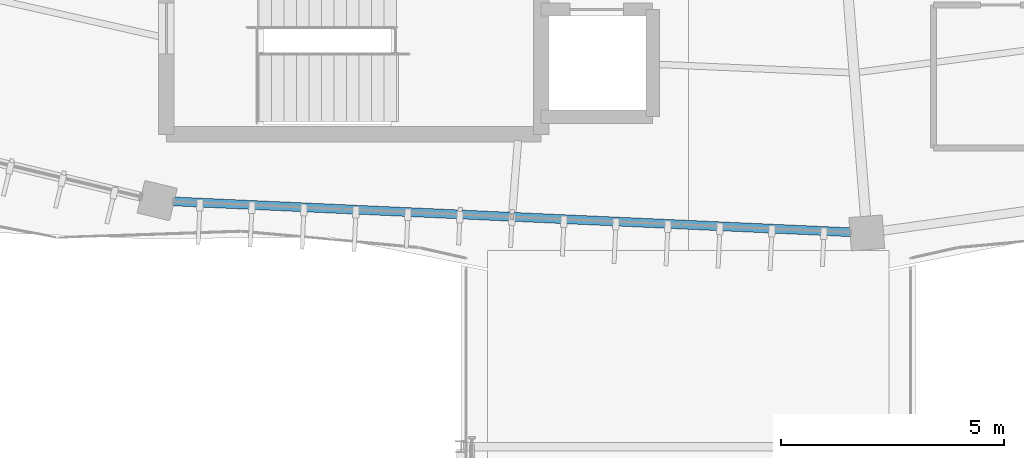
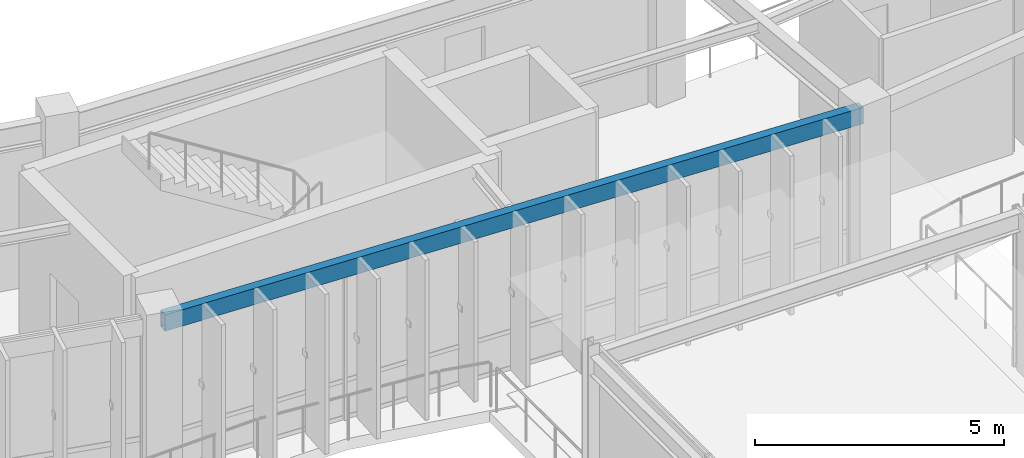
# One storey, part 39 of 152: 1 beam.
"""IFC4 building model written with IfcOpenShell, lengths in metres."""

from ifc_helpers import new_model, si_unit, direction, frame, origin, origin_2d, place, context, subcontext, project, spatial, hollow_rectangle, extrude, material, material_profile, profile_set, type_object, element, save


model = new_model("IFC4")

# Units and contexts
model_context = context("Model", 3, precision=1e-05, world=origin(), true_north=direction((0.0, 1.0)))
body_context = subcontext(model_context, "Body", "Model", "MODEL_VIEW")
ifc_project = project(units=[si_unit("LENGTHUNIT", "METRE"), si_unit("AREAUNIT", "SQUARE_METRE"), si_unit("VOLUMEUNIT", "CUBIC_METRE"), si_unit("PLANEANGLEUNIT", "RADIAN"), si_unit("MASSUNIT", "GRAM", prefix="KILO"), si_unit("THERMODYNAMICTEMPERATUREUNIT", "KELVIN"), si_unit("POWERUNIT", "WATT")], contexts=[model_context])

# Site, building, storey
site_placement = place(None, origin())
site = spatial("IfcSite", under=ifc_project, at=site_placement, CompositionType="ELEMENT")
building_placement = place(site_placement, origin())
building = spatial("IfcBuilding", under=site, at=building_placement, Name="Darbajah Civic Hall", CompositionType="ELEMENT")
storey_placement = place(building_placement, frame((0.0, 0.0, 5.39990234375)))
storey = spatial("IfcBuildingStorey", under=building, at=storey_placement, Name="L01", CompositionType="ELEMENT", Elevation=5.39990234375)

# Beam
ifc_material = material(Name="Steel S355JR", Category="steel")
ifc_material_profile = material_profile(ifc_material, hollow_rectangle(XDim=0.199951171875, YDim=0.39990234375, WallThickness=0.013916015625, at=origin_2d()), Name="RHS 400x200x14")
ifc_profile_set = profile_set([ifc_material_profile], Name="Steel S355JR")
beam_type = type_object("IfcBeamType", Name="RHS 400x200x14", PredefinedType="SPANDREL", material=ifc_profile_set)
beam_placement = place(storey_placement, frame((77.274169921875, 61.111572265625, 3.72021484375), z_axis=(0.998964928608, -0.04548704664, 0.0), x_axis=(0.04548704664, 0.998964928608, 0.0)))
element("IfcBeam", 1, at=beam_placement, inside=storey, type_object=beam_type, Name="L01 beam SP-RHS400", PredefinedType="SPANDREL", context=body_context, shape_type="SweptSolid", body=[
    extrude(hollow_rectangle(XDim=0.199951171875, YDim=0.39990234375, WallThickness=0.013916015625, at=origin_2d()), origin(), (0.0, 0.0, 1.0), 15.763671875),
])

save(model, "model.ifc")
